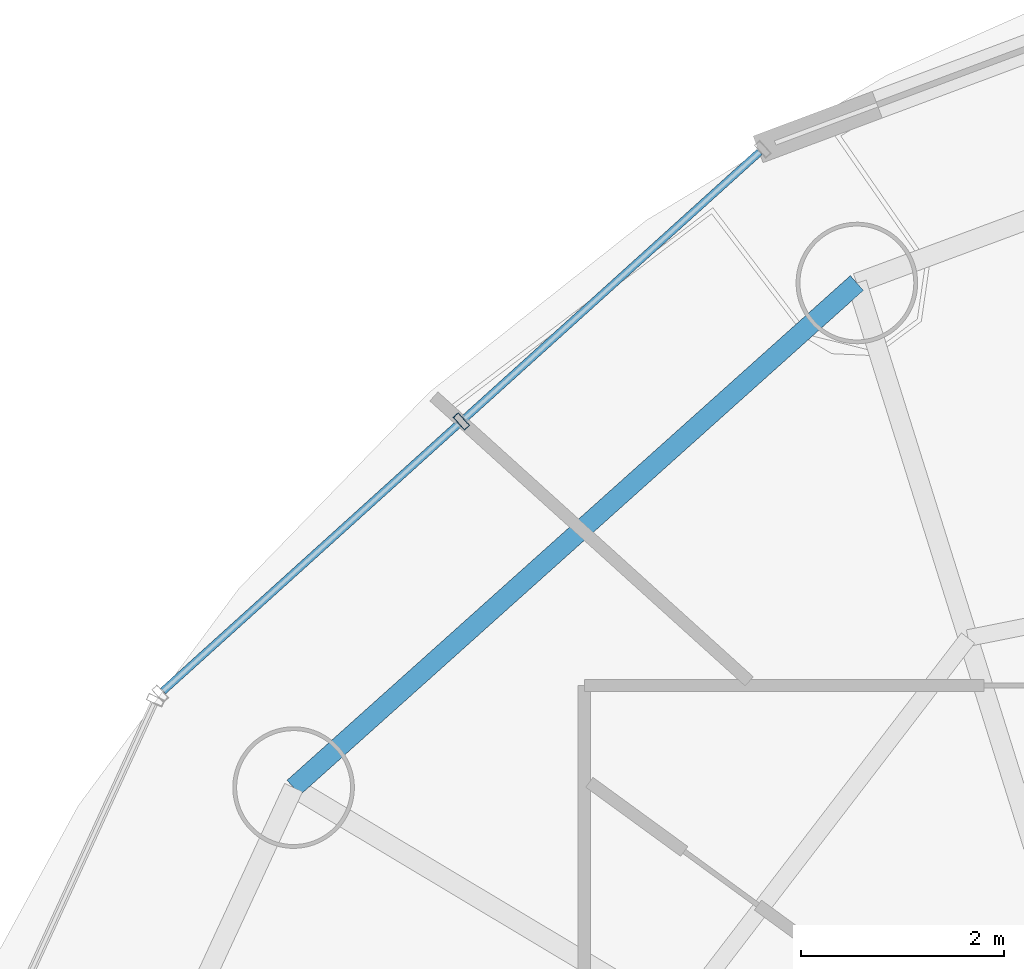
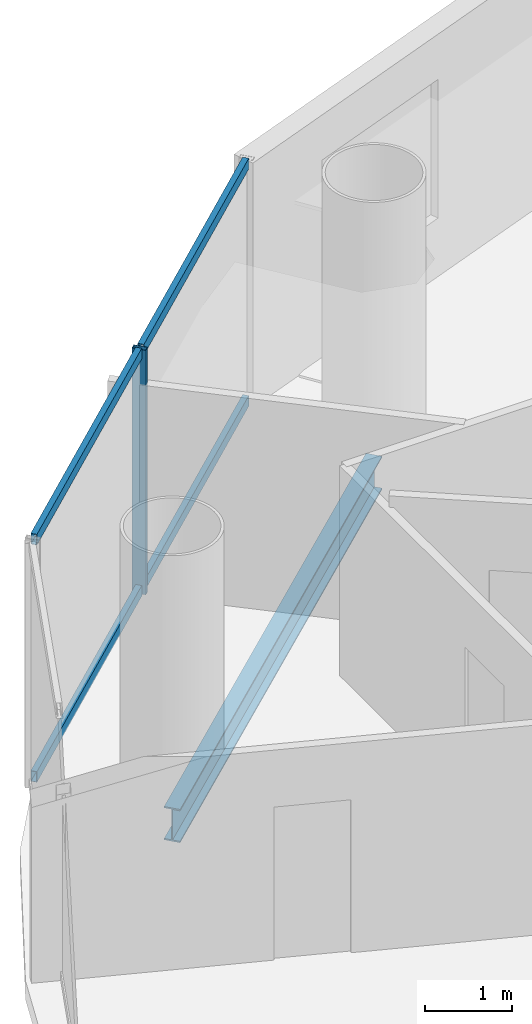
# One storey, part 14 of 27: 5 members, 1 beam, 1 element without a shape of its own.
"""IFC4 building model written with IfcOpenShell, lengths in metres."""

import ifcopenshell
import ifcopenshell.guid

model = None  # the IFC model being written
_history = None  # IfcOwnerHistory: only IFC2X3 demands one
_inside = {}  # id of a spatial element -> (the spatial element, [elements in it])
_under = {}  # id of a project, library or spatial element -> (it, [spatial elements below it])
_declared = {}  # id of a project -> (the project, [libraries it declares])
_typed = {}  # id of a type object -> (the type object, [elements of that type])
_made_of = {}  # id of a material, layer set ... -> (it, [elements and type objects made of it])


def new_model(schema):
    """Start an empty IFC model of exactly this schema.

    Asked for "IFC4X3", IfcOpenShell would pick the latest addendum, in which some entities
    have other attributes; the version numbers below select the first issue.
    IFC2X3 requires an IfcOwnerHistory on every rooted entity: one is made here for all.
    """
    global model, _history
    if schema == "IFC4X3":
        model = ifcopenshell.file(schema_version=(4, 3, 0, 0))
    else:
        model = ifcopenshell.file(schema=schema)
    _inside.clear()
    _under.clear()
    _declared.clear()
    _typed.clear()
    _made_of.clear()
    _history = None
    if model.schema == "IFC2X3":
        org = make("IfcOrganization", Name="unknown")
        user = make(
            "IfcPersonAndOrganization",
            ThePerson=make("IfcPerson", FamilyName="unknown"),
            TheOrganization=org,
        )
        app = make(
            "IfcApplication",
            ApplicationDeveloper=org,
            Version="unknown",
            ApplicationFullName="unknown",
            ApplicationIdentifier="unknown",
        )
        _history = make(
            "IfcOwnerHistory",
            OwningUser=user,
            OwningApplication=app,
            ChangeAction="ADDED",
            CreationDate=0,
        )
    return model


def make(cls, **values):
    """One entity of the class cls with the attributes given. An attribute that is None is left unset."""
    return model.create_entity(
        cls, **{name: value for name, value in values.items() if value is not None}
    )


def rooted(cls, **values):
    """An entity with a GlobalId (a new one), such as an element, a storey or a relation."""
    return make(cls, GlobalId=ifcopenshell.guid.new(), OwnerHistory=_history, **values)


def si_unit(unit_type, name, prefix=None):
    """IfcSIUnit, for example si_unit("LENGTHUNIT", "METRE", prefix="MILLI")."""
    return make("IfcSIUnit", UnitType=unit_type, Prefix=prefix, Name=name)


def assignment(units):
    """IfcUnitAssignment: the units of a project."""
    return None if units is None else make("IfcUnitAssignment", Units=units)


def point(xyz):
    """IfcCartesianPoint."""
    return None if xyz is None else make("IfcCartesianPoint", Coordinates=xyz)


def direction(xyz):
    """IfcDirection."""
    return None if xyz is None else make("IfcDirection", DirectionRatios=xyz)


def frame(location, z_axis=None, x_axis=None):
    """IfcAxis2Placement3D, a coordinate frame: its origin and axes. An axis left out is left unset."""
    return make(
        "IfcAxis2Placement3D",
        Location=point(location),
        Axis=direction(z_axis),
        RefDirection=direction(x_axis),
    )


def frame_2d(location, x_axis=None):
    """IfcAxis2Placement2D, a coordinate frame in the plane: its origin and x axis."""
    return make(
        "IfcAxis2Placement2D", Location=point(location), RefDirection=direction(x_axis)
    )


def origin():
    """The frame at (0, 0, 0) with its axes left unset."""
    return frame((0.0, 0.0, 0.0))


def origin_2d():
    """The frame at (0, 0) in the plane with its x axis left unset."""
    return frame_2d((0.0, 0.0))


def place(relative_to, where):
    """IfcLocalPlacement: puts the frame where relative to a parent placement (None: the world)."""
    return make(
        "IfcLocalPlacement", PlacementRelTo=relative_to, RelativePlacement=where
    )


def context(
    kind, dimensions, precision=None, world=None, true_north=None, identifier=None
):
    """IfcGeometricRepresentationContext, for example the 3D "Model" context."""
    return make(
        "IfcGeometricRepresentationContext",
        ContextIdentifier=identifier,
        ContextType=kind,
        CoordinateSpaceDimension=dimensions,
        Precision=precision,
        WorldCoordinateSystem=world,
        TrueNorth=true_north,
    )


def subcontext(parent, identifier, kind, view, scale=None):
    """IfcGeometricRepresentationSubContext, for example "Body" below "Model"."""
    return make(
        "IfcGeometricRepresentationSubContext",
        ContextIdentifier=identifier,
        ContextType=kind,
        ParentContext=parent,
        TargetScale=scale,
        TargetView=view,
    )


def project(units=None, contexts=None):
    """IfcProject with its units and contexts."""
    return rooted(
        "IfcProject",
        Name="project",
        RepresentationContexts=contexts,
        UnitsInContext=assignment(units),
    )


def spatial(cls, under=None, at=None, **own):
    """A site, building, storey or space (cls), placed at a placement, below another one or the project."""
    s = rooted(cls, ObjectPlacement=at, **own)
    if under is not None:
        _under.setdefault(under.id(), (under, []))[1].append(s)
    return s


def profile(cls, at=None, kind="AREA", **sizes):
    """A parametric profile (cls). Its sizes go by their IFC names, for example OverallWidth=200.0."""
    return make(cls, ProfileType=kind, Position=at, **sizes)


def hollow_rectangle(**sizes):
    """IfcRectangleHollowProfileDef."""
    return profile("IfcRectangleHollowProfileDef", **sizes)


def i_section(**sizes):
    """IfcIShapeProfileDef."""
    return profile("IfcIShapeProfileDef", **sizes)


def extrude(swept, where, along, depth):
    """IfcExtrudedAreaSolid: the profile swept, set in the frame where, extruded along a direction by depth."""
    return make(
        "IfcExtrudedAreaSolid",
        SweptArea=swept,
        Position=where,
        ExtrudedDirection=direction(along),
        Depth=depth,
    )


def shape(context_of_items, identifier, shape_type, items):
    """IfcShapeRepresentation: the items that make up one representation, for example the "Body"."""
    return make(
        "IfcShapeRepresentation",
        ContextOfItems=context_of_items,
        RepresentationIdentifier=identifier,
        RepresentationType=shape_type,
        Items=items,
    )


def source(mapping_origin, context_of_items, identifier, shape_type, items):
    """IfcRepresentationMap: a shape defined once, which mapped items show again and again."""
    return make(
        "IfcRepresentationMap",
        MappingOrigin=mapping_origin,
        MappedRepresentation=shape(context_of_items, identifier, shape_type, items),
    )


def transform(
    local_origin,
    x_axis=None,
    y_axis=None,
    z_axis=None,
    scale=None,
    scale2=None,
    scale3=None,
    uniform=True,
):
    """IfcCartesianTransformationOperator3D, or its non-uniform kind. x_axis, y_axis, z_axis: its Axis1, 2, 3."""
    if uniform:
        return make(
            "IfcCartesianTransformationOperator3D",
            Axis1=direction(x_axis),
            Axis2=direction(y_axis),
            LocalOrigin=point(local_origin),
            Scale=scale,
            Axis3=direction(z_axis),
        )
    return make(
        "IfcCartesianTransformationOperator3DnonUniform",
        Axis1=direction(x_axis),
        Axis2=direction(y_axis),
        LocalOrigin=point(local_origin),
        Scale=scale,
        Axis3=direction(z_axis),
        Scale2=scale2,
        Scale3=scale3,
    )


def mapped(mapping_source, mapping_target):
    """IfcMappedItem: shows the shape of a source again, moved by a transform."""
    return make(
        "IfcMappedItem", MappingSource=mapping_source, MappingTarget=mapping_target
    )


def material(Name=None, Category=None):
    """IfcMaterial."""
    return make("IfcMaterial", Name=Name, Category=Category)


def material_profile(
    of_material, cross_section, Name=None, Category=None, Priority=None
):
    """IfcMaterialProfile: a cross section and its material."""
    return make(
        "IfcMaterialProfile",
        Name=Name,
        Material=of_material,
        Profile=cross_section,
        Priority=Priority,
        Category=Category,
    )


def profile_set(profiles, Name=None, composite=None):
    """IfcMaterialProfileSet."""
    return make(
        "IfcMaterialProfileSet",
        Name=Name,
        MaterialProfiles=profiles,
        CompositeProfile=composite,
    )


def made_of(thing, what):
    """Note that an element or type object is made of a material, layer set ...; save() writes the relation."""
    if what is not None:
        _made_of.setdefault(what.id(), (what, []))[1].append(thing)
    return thing


def type_object(cls, material=None, **own):
    """A type object (cls), such as IfcWallType, which elements share."""
    return made_of(rooted(cls, **own), material)


def element(
    cls,
    number,
    at=None,
    inside=None,
    cuts=None,
    type_object=None,
    material=None,
    context=None,
    identifier="Body",
    shape_type=None,
    held_by="IfcProductDefinitionShape",
    body=None,
    shapes=None,
    **own,
):
    """One element of the class cls, such as IfcWall. Its Tag is "e" and its number.

    at: its placement. inside: the storey or other place that contains it. cuts: it is an
    opening in that element (IfcRelVoidsElement). A single representation is given by context,
    identifier, shape_type and body (its items); several are given by shapes. held_by: the class
    of the entity that holds the representations. save() writes the other relations.
    """
    e = rooted(cls, Tag="e%d" % number, ObjectPlacement=at, **own)
    if body is not None:
        shapes = [shape(context, identifier, shape_type, body)]
    if shapes is not None:
        e.Representation = make(held_by, Representations=shapes)
    if inside is not None:
        _inside.setdefault(inside.id(), (inside, []))[1].append(e)
    if cuts is not None:
        rooted(
            "IfcRelVoidsElement", RelatingBuildingElement=cuts, RelatedOpeningElement=e
        )
    if type_object is not None:
        _typed.setdefault(type_object.id(), (type_object, []))[1].append(e)
    return made_of(e, material)


def aggregate(whole, parts):
    """IfcRelAggregates: a whole, such as a stair, and the parts it consists of."""
    return rooted("IfcRelAggregates", RelatingObject=whole, RelatedObjects=parts)


def save(model, path):
    """Write the relations noted so far, then the file.

    IfcRelAggregates (storeys below a building ...), IfcRelContainedInSpatialStructure (elements
    in a storey), IfcRelDefinesByType, IfcRelAssociatesMaterial and IfcRelDeclares: one each for
    every whole, place, type object, material and project.
    """
    for whole, parts in _under.values():
        aggregate(whole, parts)
    for where, things in _inside.values():
        rooted(
            "IfcRelContainedInSpatialStructure",
            RelatedElements=things,
            RelatingStructure=where,
        )
    for kind, things in _typed.values():
        rooted("IfcRelDefinesByType", RelatedObjects=things, RelatingType=kind)
    for what, things in _made_of.values():
        rooted("IfcRelAssociatesMaterial", RelatedObjects=things, RelatingMaterial=what)
    for by, libraries in _declared.values():
        rooted("IfcRelDeclares", RelatingContext=by, RelatedDefinitions=libraries)
    model.write(path)


model = new_model("IFC4")

# Units and contexts
model_context = context("Model", 3, precision=1e-05, world=origin(), true_north=direction((-0.2419218956, 0.970295726276)))
body_context = subcontext(model_context, "Body", "Model", "MODEL_VIEW")
ifc_project = project(units=[si_unit("LENGTHUNIT", "METRE"), si_unit("AREAUNIT", "SQUARE_METRE"), si_unit("VOLUMEUNIT", "CUBIC_METRE"), si_unit("PLANEANGLEUNIT", "RADIAN"), si_unit("MASSUNIT", "GRAM", prefix="KILO")], contexts=[model_context])

# Site, building, storey
site_placement = place(None, origin())
site = spatial("IfcSite", under=ifc_project, at=site_placement, CompositionType="ELEMENT")
building_placement = place(site_placement, origin())
building = spatial("IfcBuilding", under=site, at=building_placement, Name="Cobrevalo Terracotta Tower", CompositionType="ELEMENT")
storey_placement = place(building_placement, frame((0.0, 0.0, 194.89990234375)))
storey = spatial("IfcBuildingStorey", under=building, at=storey_placement, Name="L51", CompositionType="ELEMENT", Elevation=194.89990234375)

# Beam
ifc_material_1 = material(Name="Steel S355", Category="steel")
ifc_material_profile_1 = material_profile(ifc_material_1, i_section(OverallWidth=0.194091796875, OverallDepth=0.468994140625, WebThickness=0.011474609375, FlangeThickness=0.0205078125, at=origin_2d()), Name="W 460x106")
ifc_profile_set_1 = profile_set([ifc_material_profile_1], Name="Steel S355")
beam_type = type_object("IfcBeamType", Name="Structural Spandrel W 460x106 (Steel S355)", PredefinedType="SPANDREL", material=ifc_profile_set_1)
beam_placement = place(storey_placement, frame((26.80517578125, 41.80810546875, -0.49951171875), z_axis=(-0.744851930997, -0.667229796165, 0.0), x_axis=(0.667229796165, -0.744851930997, 0.0)))
element("IfcBeam", 1, at=beam_placement, inside=storey, type_object=beam_type, Name="L51 perimeter ring spandrel 06", PredefinedType="SPANDREL", context=body_context, shape_type="SweptSolid", body=[
    extrude(i_section(OverallWidth=0.194091796875, OverallDepth=0.468994140625, WebThickness=0.011474609375, FlangeThickness=0.0205078125, at=origin_2d()), origin(), (0.0, 0.0, 1.0), 7.463623046875),
])

# Curtain wall, members
ifc_material_2 = material(Name="Anodized aluminium", Category="aluminium")
curtain_wall_type = type_object("IfcCurtainWallType", Name="Mid-tower high-wind unitised curtain wall CW-U2", PredefinedType="NOTDEFINED", material=ifc_material_2)
curtain_wall_placement = place(storey_placement, origin())
curtain_wall = element("IfcCurtainWall", 2, at=curtain_wall_placement, inside=storey, type_object=curtain_wall_type, Name="L51 curtain wall CW-L51-S06", PredefinedType="NOTDEFINED")
ifc_material_profile_2 = material_profile(ifc_material_2, hollow_rectangle(XDim=0.074951171875, YDim=0.14990234375, WallThickness=0.00439453125, at=origin_2d()), Name="CWT 75x150")
ifc_profile_set_2 = profile_set([ifc_material_profile_2], Name="Anodized aluminium")
member_type_1 = type_object("IfcMemberType", Name="Tower unitised aluminium transom 75x150", PredefinedType="USERDEFINED", material=ifc_profile_set_2)
shared_shape_1 = source(origin(), body_context, "Body", "SweptSolid", [
    extrude(hollow_rectangle(XDim=0.074951171875, YDim=0.14990234375, WallThickness=0.00439453125, at=origin_2d()), origin(), (0.0, 0.0, 1.0), 3.927490234375),
])
member_1_placement = place(storey_placement, frame((22.872314453125, 40.414794921875, 0.050048828125), z_axis=(-0.741975952623, -0.670426495396, 0.0), x_axis=(0.670426495396, -0.741975952623, 0.0)))
member_1 = element("IfcMember", 3, at=member_1_placement, type_object=member_type_1, Name="CW-L51-S06 transom B02-T1", ObjectType="TRANSOM", PredefinedType="USERDEFINED", context=body_context, shape_type="MappedRepresentation", body=[
    mapped(shared_shape_1, transform((0.0, 0.0, 0.0), scale=1.0)),
])
member_2_placement = place(storey_placement, frame((22.872314453125, 40.414794921875, 3.385009765625), z_axis=(-0.741975952623, -0.670426495396, 0.0), x_axis=(0.670426495396, -0.741975952623, 0.0)))
member_2 = element("IfcMember", 4, at=member_2_placement, type_object=member_type_1, Name="CW-L51-S06 transom B02-T2", ObjectType="TRANSOM", PredefinedType="USERDEFINED", context=body_context, shape_type="MappedRepresentation", body=[
    mapped(shared_shape_1, transform((0.0, 0.0, 0.0), scale=1.0)),
])
shared_shape_2 = source(origin(), body_context, "Body", "SweptSolid", [
    extrude(hollow_rectangle(XDim=0.074951171875, YDim=0.14990234375, WallThickness=0.00439453125, at=origin_2d()), origin(), (0.0, 0.0, 1.0), 3.927734375),
])
member_3_placement = place(storey_placement, frame((25.845947265625, 43.101318359375, 0.050048828125), z_axis=(-0.742003891138, -0.670395573923, 0.0), x_axis=(0.670395573923, -0.742003891138, 0.0)))
member_3 = element("IfcMember", 5, at=member_3_placement, type_object=member_type_1, Name="CW-L51-S06 transom B01-T1", ObjectType="TRANSOM", PredefinedType="USERDEFINED", context=body_context, shape_type="MappedRepresentation", body=[
    mapped(shared_shape_2, transform((0.0, 0.0, 0.0), scale=1.0)),
])
member_4_placement = place(storey_placement, frame((25.845947265625, 43.101318359375, 3.385009765625), z_axis=(-0.742003891138, -0.670395573923, 0.0), x_axis=(0.670395573923, -0.742003891138, 0.0)))
member_4 = element("IfcMember", 6, at=member_4_placement, type_object=member_type_1, Name="CW-L51-S06 transom B01-T2", ObjectType="TRANSOM", PredefinedType="USERDEFINED", context=body_context, shape_type="MappedRepresentation", body=[
    mapped(shared_shape_2, transform((0.0, 0.0, 0.0), scale=1.0)),
])
ifc_material_profile_3 = material_profile(ifc_material_2, hollow_rectangle(XDim=0.070068359375, YDim=0.169921875, WallThickness=0.00439453125, at=origin_2d()), Name="CWM 70x170")
ifc_profile_set_3 = profile_set([ifc_material_profile_3], Name="Anodized aluminium")
member_type_2 = type_object("IfcMemberType", Name="Upper tower unitised mullion 70x170", PredefinedType="MULLION", material=ifc_profile_set_3)
shared_shape_3 = source(origin(), body_context, "Body", "SweptSolid", [
    extrude(hollow_rectangle(XDim=0.070068359375, YDim=0.169921875, WallThickness=0.00439453125, at=origin_2d()), origin(), (0.0, 0.0, 1.0), 3.43505859375),
])
member_5_placement = place(storey_placement, frame((22.902099609375, 40.441650390625, 0.0), z_axis=(0.0, 0.0, 1.0), x_axis=(-0.741987542015, -0.670413668935, 0.0)))
member_5 = element("IfcMember", 7, at=member_5_placement, type_object=member_type_2, Name="CW-L51-S06 vertical mullion 02", PredefinedType="MULLION", context=body_context, shape_type="MappedRepresentation", body=[
    mapped(shared_shape_3, transform((0.0, 0.0, 0.0), scale=1.0)),
])
aggregate(curtain_wall, [member_5, member_3, member_4, member_1, member_2])

save(model, "model.ifc")
